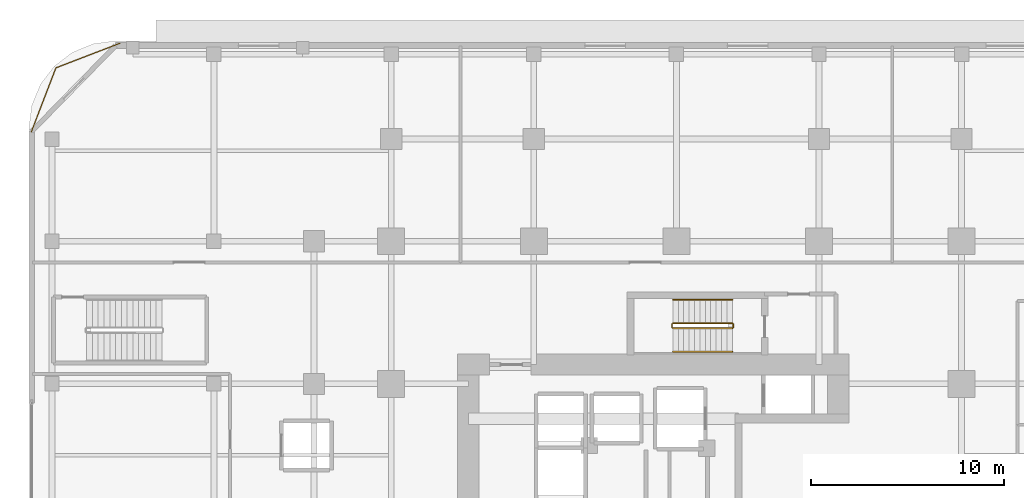
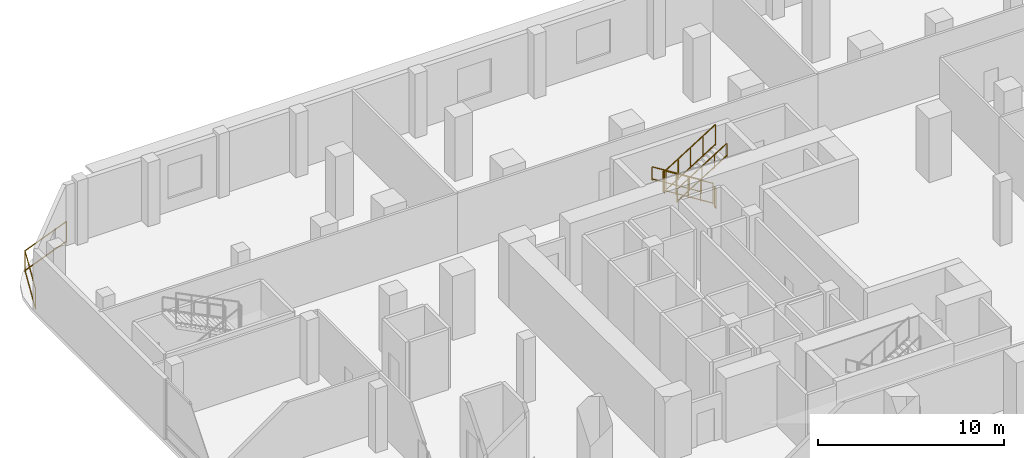
# One storey, part 16 of 19: 7 railings.
"""IFC4 building model written with IfcOpenShell, lengths in metres."""

from ifc_helpers import new_model, si_unit, direction, frame, origin, origin_2d, place, context, subcontext, project, spatial, rectangle, extrude, material, type_object, element, save


model = new_model("IFC4")

# Units and contexts
model_context = context("Model", 3, precision=1e-05, world=origin(), true_north=direction((0.0, 1.0)))
body_context = subcontext(model_context, "Body", "Model", "MODEL_VIEW")
ifc_project = project(units=[si_unit("LENGTHUNIT", "METRE"), si_unit("AREAUNIT", "SQUARE_METRE"), si_unit("VOLUMEUNIT", "CUBIC_METRE"), si_unit("PLANEANGLEUNIT", "RADIAN"), si_unit("MASSUNIT", "GRAM", prefix="KILO")], contexts=[model_context])

# Site, building, storey
site_placement = place(None, origin())
site = spatial("IfcSite", under=ifc_project, at=site_placement, CompositionType="ELEMENT")
building_placement = place(site_placement, origin())
building = spatial("IfcBuilding", under=site, at=building_placement, Name="Khorvyn Point Tower", CompositionType="ELEMENT")
storey_placement = place(building_placement, frame((0.0, 0.0, 17.39990234375)))
storey = spatial("IfcBuildingStorey", under=building, at=storey_placement, Name="L05", CompositionType="ELEMENT", Elevation=17.39990234375)

# Railings
ifc_material_1 = material(Name="Anodised aluminium 6063-T6 and laminated safety glass", Category="aluminium")
railing_type_1 = type_object("IfcRailingType", Name="Laminated Glass and Aluminium Balcony Guardrail 1400", PredefinedType="BALUSTRADE", material=ifc_material_1)
railing_1_placement = place(storey_placement, frame((-28.870849609375, 25.073974609375, 0.0)))
element("IfcRailing", 1, at=railing_1_placement, inside=storey, type_object=railing_type_1, Name="L05 Rounded Corner Edge Guardrail NW", PredefinedType="BALUSTRADE", context=body_context, shape_type="SweptSolid", body=[
    extrude(rectangle(XDim=0.048095703125, YDim=0.048095703125, at=origin_2d()), frame((0.0, 0.0, 1.3759765625), z_axis=(-0.933575007025, -0.358382067435, 0.0), x_axis=(0.358382067435, -0.933575007025, 0.0)), (0.0, 0.0, 1.0), 3.562744140625),
    extrude(rectangle(XDim=0.048095703125, YDim=0.048095703125, at=origin_2d()), frame((0.0, 0.0, 0.080078125), z_axis=(-0.933575007025, -0.358382067435, 0.0), x_axis=(0.358382067435, -0.933575007025, 0.0)), (0.0, 0.0, 1.0), 3.562744140625),
    extrude(rectangle(XDim=0.048095703125, YDim=0.048095703125, at=origin_2d()), frame((-3.326171875, -1.27685546875, 1.3759765625), z_axis=(-0.35841886047, -0.933560882031, 0.0), x_axis=(0.933560882031, -0.35841886047, 0.0)), (0.0, 0.0, 1.0), 3.563232421875),
    extrude(rectangle(XDim=0.048095703125, YDim=0.048095703125, at=origin_2d()), frame((-3.326171875, -1.27685546875, 0.080078125), z_axis=(-0.35841886047, -0.933560882031, 0.0), x_axis=(0.933560882031, -0.35841886047, 0.0)), (0.0, 0.0, 1.0), 3.563232421875),
    extrude(rectangle(XDim=0.0419921875, YDim=0.0419921875, at=origin_2d()), origin(), (0.0, 0.0, 1.0), 1.351806640625),
    extrude(rectangle(XDim=0.0419921875, YDim=0.0419921875, at=origin_2d()), frame((-3.326171875, -1.27685546875, 0.0)), (0.0, 0.0, 1.0), 1.351806640625),
    extrude(rectangle(XDim=0.0419921875, YDim=0.0419921875, at=origin_2d()), frame((-4.603271484375, -4.603271484375, 0.0)), (0.0, 0.0, 1.0), 1.351806640625),
])
ifc_material_2 = material(Name="Stainless steel 1.4301", Category="steel")
railing_type_2 = type_object("IfcRailingType", Name="Stainless Steel 304 Stair Pitch Handrail 900", PredefinedType="HANDRAIL", material=ifc_material_2)
railing_2_placement = place(storey_placement, frame((2.89990234375, 11.77001953125, 0.175048828125)))
element("IfcRailing", 2, at=railing_2_placement, inside=storey, type_object=railing_type_2, Name="L05 ST-02 stair handrail 1", PredefinedType="HANDRAIL", context=body_context, shape_type="SweptSolid", body=[
    extrude(rectangle(XDim=0.048095703125, YDim=0.048095703125, at=origin_2d()), frame((0.0, 0.0, 0.8759765625), z_axis=(-0.847979421464, 0.0, 0.530029150871), x_axis=(0.0, -1.0, 0.0)), (0.0, 0.0, 1.0), 3.632080078125),
    extrude(rectangle(XDim=0.048095703125, YDim=0.048095703125, at=origin_2d()), frame((0.0, 0.0, 0.080078125), z_axis=(-0.847979421464, 0.0, 0.530029150871), x_axis=(0.0, -1.0, 0.0)), (0.0, 0.0, 1.0), 3.632080078125),
    extrude(rectangle(XDim=0.0419921875, YDim=0.0419921875, at=origin_2d()), origin(), (0.0, 0.0, 1.0), 0.851806640625),
    extrude(rectangle(XDim=0.0419921875, YDim=0.0419921875, at=origin_2d()), frame((-0.77001953125, 0.0, 0.481201171875)), (0.0, 0.0, 1.0), 0.851806640625),
    extrude(rectangle(XDim=0.0419921875, YDim=0.0419921875, at=origin_2d()), frame((-1.5400390625, 0.0, 0.96240234375)), (0.0, 0.0, 1.0), 0.851806640625),
    extrude(rectangle(XDim=0.0419921875, YDim=0.0419921875, at=origin_2d()), frame((-2.309814453125, 0.0, 1.44384765625)), (0.0, 0.0, 1.0), 0.851806640625),
    extrude(rectangle(XDim=0.0419921875, YDim=0.0419921875, at=origin_2d()), frame((-3.079833984375, 0.0, 1.925048828125)), (0.0, 0.0, 1.0), 0.851806640625),
])
railing_3_placement = place(storey_placement, frame((-0.179931640625, 9.070068359375, 2.275146484375)))
element("IfcRailing", 3, at=railing_3_placement, inside=storey, type_object=railing_type_2, Name="L05 ST-02 stair handrail 2", PredefinedType="HANDRAIL", context=body_context, shape_type="SweptSolid", body=[
    extrude(rectangle(XDim=0.048095703125, YDim=0.048095703125, at=origin_2d()), frame((0.0, 0.0, 0.8759765625), z_axis=(0.847979421464, 0.0, 0.530029150871), x_axis=(0.0, 1.0, 0.0)), (0.0, 0.0, 1.0), 3.632080078125),
    extrude(rectangle(XDim=0.048095703125, YDim=0.048095703125, at=origin_2d()), frame((0.0, 0.0, 0.080078125), z_axis=(0.847979421464, 0.0, 0.530029150871), x_axis=(0.0, 1.0, 0.0)), (0.0, 0.0, 1.0), 3.632080078125),
    extrude(rectangle(XDim=0.0419921875, YDim=0.0419921875, at=origin_2d()), origin(), (0.0, 0.0, 1.0), 0.851806640625),
    extrude(rectangle(XDim=0.0419921875, YDim=0.0419921875, at=origin_2d()), frame((0.77001953125, 0.0, 0.481201171875)), (0.0, 0.0, 1.0), 0.851806640625),
    extrude(rectangle(XDim=0.0419921875, YDim=0.0419921875, at=origin_2d()), frame((1.5400390625, 0.0, 0.96240234375)), (0.0, 0.0, 1.0), 0.851806640625),
    extrude(rectangle(XDim=0.0419921875, YDim=0.0419921875, at=origin_2d()), frame((2.309814453125, 0.0, 1.44384765625)), (0.0, 0.0, 1.0), 0.851806640625),
    extrude(rectangle(XDim=0.0419921875, YDim=0.0419921875, at=origin_2d()), frame((3.079833984375, 0.0, 1.925048828125)), (0.0, 0.0, 1.0), 0.851806640625),
])
railing_type_3 = type_object("IfcRailingType", Name="Stainless Steel 304 Stair Well Guardrail 1400", PredefinedType="GUARDRAIL", material=ifc_material_2)
railing_4_placement = place(storey_placement, frame((2.89990234375, 10.550048828125, 0.175048828125)))
element("IfcRailing", 4, at=railing_4_placement, inside=storey, type_object=railing_type_3, Name="L05 ST-02 stair guard 1", PredefinedType="GUARDRAIL", context=body_context, shape_type="SweptSolid", body=[
    extrude(rectangle(XDim=0.048095703125, YDim=0.048095703125, at=origin_2d()), frame((0.0, 0.0, 1.3759765625), z_axis=(-0.847979421464, 0.0, 0.530029150871), x_axis=(0.0, -1.0, 0.0)), (0.0, 0.0, 1.0), 3.632080078125),
    extrude(rectangle(XDim=0.048095703125, YDim=0.048095703125, at=origin_2d()), frame((0.0, 0.0, 0.080078125), z_axis=(-0.847979421464, 0.0, 0.530029150871), x_axis=(0.0, -1.0, 0.0)), (0.0, 0.0, 1.0), 3.632080078125),
    extrude(rectangle(XDim=0.0419921875, YDim=0.0419921875, at=origin_2d()), origin(), (0.0, 0.0, 1.0), 1.351806640625),
    extrude(rectangle(XDim=0.0419921875, YDim=0.0419921875, at=origin_2d()), frame((-0.77001953125, 0.0, 0.481201171875)), (0.0, 0.0, 1.0), 1.351806640625),
    extrude(rectangle(XDim=0.0419921875, YDim=0.0419921875, at=origin_2d()), frame((-1.5400390625, 0.0, 0.96240234375)), (0.0, 0.0, 1.0), 1.351806640625),
    extrude(rectangle(XDim=0.0419921875, YDim=0.0419921875, at=origin_2d()), frame((-2.309814453125, 0.0, 1.44384765625)), (0.0, 0.0, 1.0), 1.351806640625),
    extrude(rectangle(XDim=0.0419921875, YDim=0.0419921875, at=origin_2d()), frame((-3.079833984375, 0.0, 1.925048828125)), (0.0, 0.0, 1.0), 1.351806640625),
])
railing_5_placement = place(storey_placement, frame((-0.22998046875, 10.5, 2.10009765625)))
element("IfcRailing", 5, at=railing_5_placement, inside=storey, type_object=railing_type_3, Name="L05 ST-02 stair guard 2", PredefinedType="GUARDRAIL", context=body_context, shape_type="SweptSolid", body=[
    extrude(rectangle(XDim=0.048095703125, YDim=0.048095703125, at=origin_2d()), frame((0.0, 0.0, 1.3759765625), z_axis=(0.0, -1.0, 0.0), x_axis=(1.0, 0.0, 0.0)), (0.0, 0.0, 1.0), 0.159912109375),
    extrude(rectangle(XDim=0.048095703125, YDim=0.048095703125, at=origin_2d()), frame((0.0, 0.0, 0.080078125), z_axis=(0.0, -1.0, 0.0), x_axis=(1.0, 0.0, 0.0)), (0.0, 0.0, 1.0), 0.159912109375),
    extrude(rectangle(XDim=0.0419921875, YDim=0.0419921875, at=origin_2d()), origin(), (0.0, 0.0, 1.0), 1.351806640625),
    extrude(rectangle(XDim=0.0419921875, YDim=0.0419921875, at=origin_2d()), frame((0.0, -0.159912109375, 0.0)), (0.0, 0.0, 1.0), 1.351806640625),
])
railing_6_placement = place(storey_placement, frame((-0.179931640625, 10.2900390625, 2.275146484375)))
element("IfcRailing", 6, at=railing_6_placement, inside=storey, type_object=railing_type_3, Name="L05 ST-02 stair guard 3", PredefinedType="GUARDRAIL", context=body_context, shape_type="SweptSolid", body=[
    extrude(rectangle(XDim=0.048095703125, YDim=0.048095703125, at=origin_2d()), frame((0.0, 0.0, 1.3759765625), z_axis=(0.847979421464, 0.0, 0.530029150871), x_axis=(0.0, 1.0, 0.0)), (0.0, 0.0, 1.0), 3.632080078125),
    extrude(rectangle(XDim=0.048095703125, YDim=0.048095703125, at=origin_2d()), frame((0.0, 0.0, 0.080078125), z_axis=(0.847979421464, 0.0, 0.530029150871), x_axis=(0.0, 1.0, 0.0)), (0.0, 0.0, 1.0), 3.632080078125),
    extrude(rectangle(XDim=0.0419921875, YDim=0.0419921875, at=origin_2d()), origin(), (0.0, 0.0, 1.0), 1.351806640625),
    extrude(rectangle(XDim=0.0419921875, YDim=0.0419921875, at=origin_2d()), frame((0.77001953125, 0.0, 0.481201171875)), (0.0, 0.0, 1.0), 1.351806640625),
    extrude(rectangle(XDim=0.0419921875, YDim=0.0419921875, at=origin_2d()), frame((1.5400390625, 0.0, 0.96240234375)), (0.0, 0.0, 1.0), 1.351806640625),
    extrude(rectangle(XDim=0.0419921875, YDim=0.0419921875, at=origin_2d()), frame((2.309814453125, 0.0, 1.44384765625)), (0.0, 0.0, 1.0), 1.351806640625),
    extrude(rectangle(XDim=0.0419921875, YDim=0.0419921875, at=origin_2d()), frame((3.079833984375, 0.0, 1.925048828125)), (0.0, 0.0, 1.0), 1.351806640625),
])
railing_7_placement = place(storey_placement, frame((2.949951171875, 10.5, 0.0)))
element("IfcRailing", 7, at=railing_7_placement, inside=storey, type_object=railing_type_3, Name="L05 ST-02 stair guard 4", PredefinedType="GUARDRAIL", context=body_context, shape_type="SweptSolid", body=[
    extrude(rectangle(XDim=0.048095703125, YDim=0.048095703125, at=origin_2d()), frame((0.0, 0.0, 1.3759765625), z_axis=(0.0, -1.0, 0.0), x_axis=(1.0, 0.0, 0.0)), (0.0, 0.0, 1.0), 0.159912109375),
    extrude(rectangle(XDim=0.048095703125, YDim=0.048095703125, at=origin_2d()), frame((0.0, 0.0, 0.080078125), z_axis=(0.0, -1.0, 0.0), x_axis=(1.0, 0.0, 0.0)), (0.0, 0.0, 1.0), 0.159912109375),
    extrude(rectangle(XDim=0.0419921875, YDim=0.0419921875, at=origin_2d()), origin(), (0.0, 0.0, 1.0), 1.351806640625),
    extrude(rectangle(XDim=0.0419921875, YDim=0.0419921875, at=origin_2d()), frame((0.0, -0.159912109375, 0.0)), (0.0, 0.0, 1.0), 1.351806640625),
])

save(model, "model.ifc")
